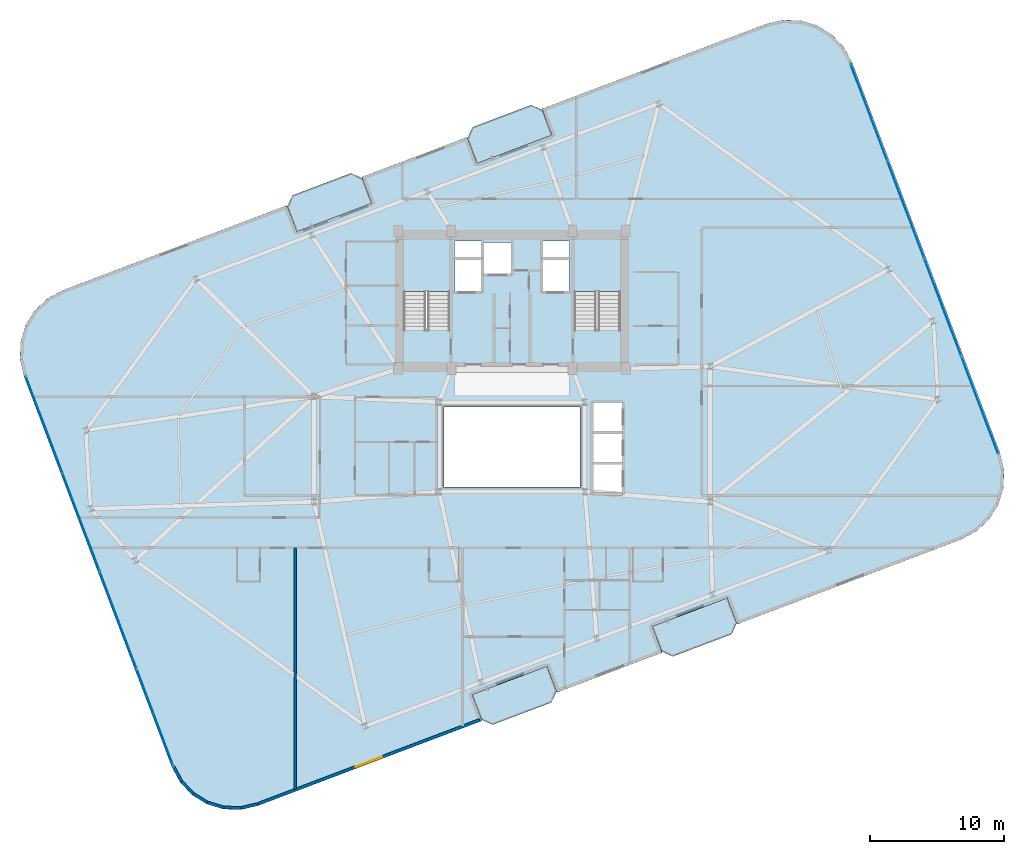
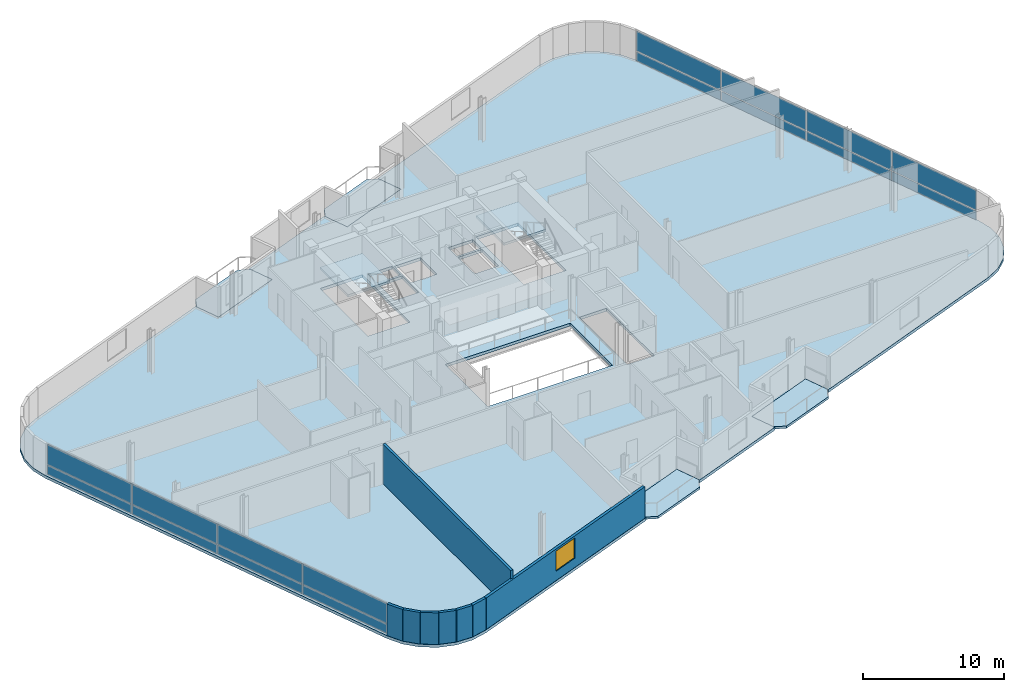
# One storey, part 13 of 20: 16 plates, 8 walls, 7 slabs, 1 window, 1 opening, 4 elements without a shape of their own.
"""IFC4 building model written with IfcOpenShell, lengths in metres."""

import ifcopenshell
import ifcopenshell.guid

model = None  # the IFC model being written
_history = None  # IfcOwnerHistory: only IFC2X3 demands one
_inside = {}  # id of a spatial element -> (the spatial element, [elements in it])
_under = {}  # id of a project, library or spatial element -> (it, [spatial elements below it])
_declared = {}  # id of a project -> (the project, [libraries it declares])
_typed = {}  # id of a type object -> (the type object, [elements of that type])
_made_of = {}  # id of a material, layer set ... -> (it, [elements and type objects made of it])


def new_model(schema):
    """Start an empty IFC model of exactly this schema.

    Asked for "IFC4X3", IfcOpenShell would pick the latest addendum, in which some entities
    have other attributes; the version numbers below select the first issue.
    IFC2X3 requires an IfcOwnerHistory on every rooted entity: one is made here for all.
    """
    global model, _history
    if schema == "IFC4X3":
        model = ifcopenshell.file(schema_version=(4, 3, 0, 0))
    else:
        model = ifcopenshell.file(schema=schema)
    _inside.clear()
    _under.clear()
    _declared.clear()
    _typed.clear()
    _made_of.clear()
    _history = None
    if model.schema == "IFC2X3":
        org = make("IfcOrganization", Name="unknown")
        user = make(
            "IfcPersonAndOrganization",
            ThePerson=make("IfcPerson", FamilyName="unknown"),
            TheOrganization=org,
        )
        app = make(
            "IfcApplication",
            ApplicationDeveloper=org,
            Version="unknown",
            ApplicationFullName="unknown",
            ApplicationIdentifier="unknown",
        )
        _history = make(
            "IfcOwnerHistory",
            OwningUser=user,
            OwningApplication=app,
            ChangeAction="ADDED",
            CreationDate=0,
        )
    return model


def make(cls, **values):
    """One entity of the class cls with the attributes given. An attribute that is None is left unset."""
    return model.create_entity(
        cls, **{name: value for name, value in values.items() if value is not None}
    )


def rooted(cls, **values):
    """An entity with a GlobalId (a new one), such as an element, a storey or a relation."""
    return make(cls, GlobalId=ifcopenshell.guid.new(), OwnerHistory=_history, **values)


def si_unit(unit_type, name, prefix=None):
    """IfcSIUnit, for example si_unit("LENGTHUNIT", "METRE", prefix="MILLI")."""
    return make("IfcSIUnit", UnitType=unit_type, Prefix=prefix, Name=name)


def assignment(units):
    """IfcUnitAssignment: the units of a project."""
    return None if units is None else make("IfcUnitAssignment", Units=units)


def point(xyz):
    """IfcCartesianPoint."""
    return None if xyz is None else make("IfcCartesianPoint", Coordinates=xyz)


def direction(xyz):
    """IfcDirection."""
    return None if xyz is None else make("IfcDirection", DirectionRatios=xyz)


def frame(location, z_axis=None, x_axis=None):
    """IfcAxis2Placement3D, a coordinate frame: its origin and axes. An axis left out is left unset."""
    return make(
        "IfcAxis2Placement3D",
        Location=point(location),
        Axis=direction(z_axis),
        RefDirection=direction(x_axis),
    )


def frame_2d(location, x_axis=None):
    """IfcAxis2Placement2D, a coordinate frame in the plane: its origin and x axis."""
    return make(
        "IfcAxis2Placement2D", Location=point(location), RefDirection=direction(x_axis)
    )


def origin():
    """The frame at (0, 0, 0) with its axes left unset."""
    return frame((0.0, 0.0, 0.0))


def origin_2d():
    """The frame at (0, 0) in the plane with its x axis left unset."""
    return frame_2d((0.0, 0.0))


def place(relative_to, where):
    """IfcLocalPlacement: puts the frame where relative to a parent placement (None: the world)."""
    return make(
        "IfcLocalPlacement", PlacementRelTo=relative_to, RelativePlacement=where
    )


def context(
    kind, dimensions, precision=None, world=None, true_north=None, identifier=None
):
    """IfcGeometricRepresentationContext, for example the 3D "Model" context."""
    return make(
        "IfcGeometricRepresentationContext",
        ContextIdentifier=identifier,
        ContextType=kind,
        CoordinateSpaceDimension=dimensions,
        Precision=precision,
        WorldCoordinateSystem=world,
        TrueNorth=true_north,
    )


def subcontext(parent, identifier, kind, view, scale=None):
    """IfcGeometricRepresentationSubContext, for example "Body" below "Model"."""
    return make(
        "IfcGeometricRepresentationSubContext",
        ContextIdentifier=identifier,
        ContextType=kind,
        ParentContext=parent,
        TargetScale=scale,
        TargetView=view,
    )


def project(units=None, contexts=None):
    """IfcProject with its units and contexts."""
    return rooted(
        "IfcProject",
        Name="project",
        RepresentationContexts=contexts,
        UnitsInContext=assignment(units),
    )


def spatial(cls, under=None, at=None, **own):
    """A site, building, storey or space (cls), placed at a placement, below another one or the project."""
    s = rooted(cls, ObjectPlacement=at, **own)
    if under is not None:
        _under.setdefault(under.id(), (under, []))[1].append(s)
    return s


def polyline(points):
    """IfcPolyline through the points."""
    return make("IfcPolyline", Points=[point(p) for p in points])


def profile(cls, at=None, kind="AREA", **sizes):
    """A parametric profile (cls). Its sizes go by their IFC names, for example OverallWidth=200.0."""
    return make(cls, ProfileType=kind, Position=at, **sizes)


def rectangle(**sizes):
    """IfcRectangleProfileDef."""
    return profile("IfcRectangleProfileDef", **sizes)


def outline(outer, holes=None, kind="AREA"):
    """IfcArbitraryClosedProfileDef: a profile drawn as a closed curve; with holes, ...WithVoids."""
    if holes is None:
        return make("IfcArbitraryClosedProfileDef", ProfileType=kind, OuterCurve=outer)
    return make(
        "IfcArbitraryProfileDefWithVoids",
        ProfileType=kind,
        OuterCurve=outer,
        InnerCurves=holes,
    )


def extrude(swept, where, along, depth):
    """IfcExtrudedAreaSolid: the profile swept, set in the frame where, extruded along a direction by depth."""
    return make(
        "IfcExtrudedAreaSolid",
        SweptArea=swept,
        Position=where,
        ExtrudedDirection=direction(along),
        Depth=depth,
    )


def shape(context_of_items, identifier, shape_type, items):
    """IfcShapeRepresentation: the items that make up one representation, for example the "Body"."""
    return make(
        "IfcShapeRepresentation",
        ContextOfItems=context_of_items,
        RepresentationIdentifier=identifier,
        RepresentationType=shape_type,
        Items=items,
    )


def source(mapping_origin, context_of_items, identifier, shape_type, items):
    """IfcRepresentationMap: a shape defined once, which mapped items show again and again."""
    return make(
        "IfcRepresentationMap",
        MappingOrigin=mapping_origin,
        MappedRepresentation=shape(context_of_items, identifier, shape_type, items),
    )


def transform(
    local_origin,
    x_axis=None,
    y_axis=None,
    z_axis=None,
    scale=None,
    scale2=None,
    scale3=None,
    uniform=True,
):
    """IfcCartesianTransformationOperator3D, or its non-uniform kind. x_axis, y_axis, z_axis: its Axis1, 2, 3."""
    if uniform:
        return make(
            "IfcCartesianTransformationOperator3D",
            Axis1=direction(x_axis),
            Axis2=direction(y_axis),
            LocalOrigin=point(local_origin),
            Scale=scale,
            Axis3=direction(z_axis),
        )
    return make(
        "IfcCartesianTransformationOperator3DnonUniform",
        Axis1=direction(x_axis),
        Axis2=direction(y_axis),
        LocalOrigin=point(local_origin),
        Scale=scale,
        Axis3=direction(z_axis),
        Scale2=scale2,
        Scale3=scale3,
    )


def mapped(mapping_source, mapping_target):
    """IfcMappedItem: shows the shape of a source again, moved by a transform."""
    return make(
        "IfcMappedItem", MappingSource=mapping_source, MappingTarget=mapping_target
    )


def material(Name=None, Category=None):
    """IfcMaterial."""
    return make("IfcMaterial", Name=Name, Category=Category)


def layer(
    of_material, thickness, ventilated=None, Name=None, Category=None, Priority=None
):
    """IfcMaterialLayer: one layer of a wall or slab, of a material (None: an air gap)."""
    return make(
        "IfcMaterialLayer",
        Material=of_material,
        LayerThickness=thickness,
        IsVentilated=ventilated,
        Name=Name,
        Category=Category,
        Priority=Priority,
    )


def layer_set(layers, Name=None):
    """IfcMaterialLayerSet."""
    return make("IfcMaterialLayerSet", MaterialLayers=layers, LayerSetName=Name)


def made_of(thing, what):
    """Note that an element or type object is made of a material, layer set ...; save() writes the relation."""
    if what is not None:
        _made_of.setdefault(what.id(), (what, []))[1].append(thing)
    return thing


def type_object(cls, material=None, **own):
    """A type object (cls), such as IfcWallType, which elements share."""
    return made_of(rooted(cls, **own), material)


def element(
    cls,
    number,
    at=None,
    inside=None,
    cuts=None,
    type_object=None,
    material=None,
    context=None,
    identifier="Body",
    shape_type=None,
    held_by="IfcProductDefinitionShape",
    body=None,
    shapes=None,
    **own,
):
    """One element of the class cls, such as IfcWall. Its Tag is "e" and its number.

    at: its placement. inside: the storey or other place that contains it. cuts: it is an
    opening in that element (IfcRelVoidsElement). A single representation is given by context,
    identifier, shape_type and body (its items); several are given by shapes. held_by: the class
    of the entity that holds the representations. save() writes the other relations.
    """
    e = rooted(cls, Tag="e%d" % number, ObjectPlacement=at, **own)
    if body is not None:
        shapes = [shape(context, identifier, shape_type, body)]
    if shapes is not None:
        e.Representation = make(held_by, Representations=shapes)
    if inside is not None:
        _inside.setdefault(inside.id(), (inside, []))[1].append(e)
    if cuts is not None:
        rooted(
            "IfcRelVoidsElement", RelatingBuildingElement=cuts, RelatedOpeningElement=e
        )
    if type_object is not None:
        _typed.setdefault(type_object.id(), (type_object, []))[1].append(e)
    return made_of(e, material)


def fill(opening, filler):
    """IfcRelFillsElement: the door or window that sits in an opening."""
    return rooted(
        "IfcRelFillsElement",
        RelatingOpeningElement=opening,
        RelatedBuildingElement=filler,
    )


def aggregate(whole, parts):
    """IfcRelAggregates: a whole, such as a stair, and the parts it consists of."""
    return rooted("IfcRelAggregates", RelatingObject=whole, RelatedObjects=parts)


def save(model, path):
    """Write the relations noted so far, then the file.

    IfcRelAggregates (storeys below a building ...), IfcRelContainedInSpatialStructure (elements
    in a storey), IfcRelDefinesByType, IfcRelAssociatesMaterial and IfcRelDeclares: one each for
    every whole, place, type object, material and project.
    """
    for whole, parts in _under.values():
        aggregate(whole, parts)
    for where, things in _inside.values():
        rooted(
            "IfcRelContainedInSpatialStructure",
            RelatedElements=things,
            RelatingStructure=where,
        )
    for kind, things in _typed.values():
        rooted("IfcRelDefinesByType", RelatedObjects=things, RelatingType=kind)
    for what, things in _made_of.values():
        rooted("IfcRelAssociatesMaterial", RelatedObjects=things, RelatingMaterial=what)
    for by, libraries in _declared.values():
        rooted("IfcRelDeclares", RelatingContext=by, RelatedDefinitions=libraries)
    model.write(path)


model = new_model("IFC4")

# Units and contexts
model_context = context("Model", 3, precision=1e-05, world=origin(), true_north=direction((0.0, 1.0)))
body_context = subcontext(model_context, "Body", "Model", "MODEL_VIEW")
ifc_project = project(units=[si_unit("LENGTHUNIT", "METRE"), si_unit("AREAUNIT", "SQUARE_METRE"), si_unit("VOLUMEUNIT", "CUBIC_METRE"), si_unit("PLANEANGLEUNIT", "RADIAN"), si_unit("MASSUNIT", "GRAM", prefix="KILO")], contexts=[model_context])

# Site, building, storey
site_placement = place(None, origin())
site = spatial("IfcSite", under=ifc_project, at=site_placement, CompositionType="ELEMENT")
building_placement = place(site_placement, origin())
building = spatial("IfcBuilding", under=site, at=building_placement, Name="Varnelok Gate Tower", CompositionType="ELEMENT")
storey_placement = place(building_placement, frame((0.0, 0.0, 223.800048828125)))
storey = spatial("IfcBuildingStorey", under=building, at=storey_placement, Name="L57", CompositionType="ELEMENT", Elevation=223.800048828125)

# Slabs
ifc_material_1 = material(Name="Concrete C45/55", Category="concrete")
ifc_layer_1 = layer(ifc_material_1, 0.199951171875)
ifc_layer_set_1 = layer_set([ifc_layer_1], Name="Concrete C45/55")
slab_type_1 = type_object("IfcSlabType", Name="SLB-BALC-200", PredefinedType="FLOOR", material=ifc_layer_set_1)
slab_1_placement = place(storey_placement, frame((0.0, 0.0, -0.199951171875)))
element("IfcSlab", 1, at=slab_1_placement, inside=storey, type_object=slab_type_1, Name="L57 South Hollow Balcony 1", PredefinedType="FLOOR", context=body_context, shape_type="SweptSolid", body=[
    extrude(outline(polyline([(36.9189453125, 2.5166015625), (37.757080078125, 2.138916015625), (42.152587890625, 3.802978515625), (42.530517578125, 4.640869140625), (41.822265625, 6.51123046875), (36.2109375, 4.386962890625), (36.9189453125, 2.5166015625)])), origin(), (0.0, 0.0, 1.0), 0.199951171875),
])
slab_2_placement = place(storey_placement, frame((0.0, 0.0, -0.199951171875)))
element("IfcSlab", 2, at=slab_2_placement, inside=storey, type_object=slab_type_1, Name="L57 South Hollow Balcony 2", PredefinedType="FLOOR", context=body_context, shape_type="SweptSolid", body=[
    extrude(outline(polyline([(50.38623046875, 7.614990234375), (51.22412109375, 7.2373046875), (55.619873046875, 8.9013671875), (55.99755859375, 9.739501953125), (55.289306640625, 11.60986328125), (49.677978515625, 9.485595703125), (50.38623046875, 7.614990234375)])), origin(), (0.0, 0.0, 1.0), 0.199951171875),
])
slab_3_placement = place(storey_placement, frame((0.0, 0.0, -0.199951171875)))
element("IfcSlab", 3, at=slab_3_placement, inside=storey, type_object=slab_type_1, Name="L57 North Hollow Balcony 1", PredefinedType="FLOOR", context=body_context, shape_type="SweptSolid", body=[
    extrude(outline(polyline([(23.110595703125, 38.990234375), (28.721923828125, 41.114501953125), (28.013916015625, 42.985107421875), (27.17578125, 43.36279296875), (22.7802734375, 41.698486328125), (22.402587890625, 40.860595703125), (23.110595703125, 38.990234375)])), origin(), (0.0, 0.0, 1.0), 0.199951171875),
])
slab_4_placement = place(storey_placement, frame((0.0, 0.0, -0.199951171875)))
element("IfcSlab", 4, at=slab_4_placement, inside=storey, type_object=slab_type_1, Name="L57 North Hollow Balcony 2", PredefinedType="FLOOR", context=body_context, shape_type="SweptSolid", body=[
    extrude(outline(polyline([(36.577880859375, 44.088623046875), (42.189208984375, 46.212890625), (41.48095703125, 48.08349609375), (40.642822265625, 48.461181640625), (36.247314453125, 46.797119140625), (35.86962890625, 45.958984375), (36.577880859375, 44.088623046875)])), origin(), (0.0, 0.0, 1.0), 0.199951171875),
])

# Stair, slab
ifc_material_2 = material(Name="Concrete C50/60", Category="concrete")
stair_type = type_object("IfcStairType", Name="STR-CORE-1650", PredefinedType="HALF_TURN_STAIR", material=ifc_material_2)
stair_1_placement = place(storey_placement, origin())
stair_1 = element("IfcStair", 5, at=stair_1_placement, inside=storey, type_object=stair_type, Name="L57 Exit Stair ST-1", PredefinedType="HALF_TURN_STAIR")
ifc_layer_2 = layer(ifc_material_1, 0.199951171875)
ifc_layer_set_2 = layer_set([ifc_layer_2], Name="Concrete C45/55")
slab_type_2 = type_object("IfcSlabType", Name="SLB-LAND-200", PredefinedType="LANDING", material=ifc_layer_set_2)
slab_5_placement = place(storey_placement, frame((0.0, 0.0, 1.64990234375)))
slab_5 = element("IfcSlab", 6, at=slab_5_placement, type_object=slab_type_2, Name="ST-1 landing 1", PredefinedType="LANDING", context=body_context, shape_type="SweptSolid", body=[
    extrude(outline(polyline([(34.550048828125, 34.5), (34.550048828125, 38.449951171875), (31.10009765625, 38.449951171875), (31.10009765625, 34.5), (34.550048828125, 34.5)])), origin(), (0.0, 0.0, 1.0), 0.199951171875),
])
aggregate(stair_1, [slab_5])

stair_2_placement = place(storey_placement, origin())
stair_2 = element("IfcStair", 7, at=stair_2_placement, inside=storey, type_object=stair_type, Name="L57 Exit Stair ST-2", PredefinedType="HALF_TURN_STAIR")
slab_6_placement = place(storey_placement, frame((0.0, 0.0, 1.64990234375)))
slab_6 = element("IfcSlab", 8, at=slab_6_placement, type_object=slab_type_2, Name="ST-2 landing 1", PredefinedType="LANDING", context=body_context, shape_type="SweptSolid", body=[
    extrude(outline(polyline([(47.300048828125, 34.5), (47.300048828125, 38.449951171875), (43.85009765625, 38.449951171875), (43.85009765625, 34.5), (47.300048828125, 34.5)])), origin(), (0.0, 0.0, 1.0), 0.199951171875),
])
aggregate(stair_2, [slab_6])

# Slab
ifc_layer_3 = layer(ifc_material_2, 0.25)
ifc_layer_set_3 = layer_set([ifc_layer_3], Name="Concrete C50/60")
slab_type_3 = type_object("IfcSlabType", Name="SLB-TYP-250", PredefinedType="FLOOR", material=ifc_layer_set_3)
slab_7_placement = place(storey_placement, frame((0.0, 0.0, -0.25)))
element("IfcSlab", 9, at=slab_7_placement, inside=storey, type_object=slab_type_3, Name="L57 Structural Floor Slab", PredefinedType="FLOOR", context=body_context, shape_type="SweptSolid", body=[
    extrude(outline(polyline([(13.767578125, -1.0087890625), (14.385009765625, -2.158935546875), (15.279296875, -3.10986328125), (16.388916015625, -3.796875), (17.638671875, -4.17333984375), (18.943359375, -4.213623046875), (20.214111328125, -3.914794921875), (29.8779296875, -0.256103515625), (36.954345703125, 2.423095703125), (36.2109375, 4.386962890625), (41.822265625, 6.51123046875), (42.56591796875, 4.54736328125), (50.421630859375, 7.521484375), (49.677978515625, 9.485595703125), (55.289306640625, 11.60986328125), (56.032958984375, 9.64599609375), (63.109619140625, 12.324951171875), (72.7734375, 15.983642578125), (73.92333984375, 16.60107421875), (74.874267578125, 17.495361328125), (75.561279296875, 18.60498046875), (75.93798828125, 19.854736328125), (75.97802734375, 21.159423828125), (75.67919921875, 22.429931640625), (64.632568359375, 51.60888671875), (64.014892578125, 52.7587890625), (63.120849609375, 53.709716796875), (62.010986328125, 54.39697265625), (60.76123046875, 54.7734375), (59.45654296875, 54.813720703125), (58.18603515625, 54.5146484375), (48.522216796875, 50.856201171875), (41.445556640625, 48.177001953125), (42.189208984375, 46.212890625), (36.577880859375, 44.088623046875), (35.834228515625, 46.052490234375), (27.978515625, 43.07861328125), (28.721923828125, 41.114501953125), (23.110595703125, 38.990234375), (22.3671875, 40.9541015625), (15.29052734375, 38.275146484375), (5.626708984375, 34.616455078125), (4.4765625, 33.998779296875), (3.525634765625, 33.104736328125), (2.838623046875, 31.9951171875), (2.462158203125, 30.7451171875), (2.422119140625, 29.440673828125), (2.720703125, 28.169921875), (13.767578125, -1.0087890625)]), holes=[polyline([(34.550048828125, 31.679931640625), (34.550048828125, 38.449951171875), (31.10009765625, 38.449951171875), (31.10009765625, 31.679931640625), (34.550048828125, 31.679931640625)]), polyline([(47.300048828125, 31.679931640625), (47.300048828125, 38.449951171875), (43.85009765625, 38.449951171875), (43.85009765625, 31.679931640625), (47.300048828125, 31.679931640625)]), polyline([(34.949951171875, 34.550048828125), (36.89990234375, 34.550048828125), (36.89990234375, 36.89990234375), (34.949951171875, 36.89990234375), (34.949951171875, 34.550048828125)]), polyline([(41.5, 34.550048828125), (43.449951171875, 34.550048828125), (43.449951171875, 36.89990234375), (41.5, 36.89990234375), (41.5, 34.550048828125)]), polyline([(37.050048828125, 35.85009765625), (39.14990234375, 35.85009765625), (39.14990234375, 38.199951171875), (37.050048828125, 38.199951171875), (37.050048828125, 35.85009765625)]), polyline([(45.25, 19.449951171875), (47.449951171875, 19.449951171875), (47.449951171875, 26.199951171875), (45.25, 26.199951171875), (45.25, 19.449951171875)]), polyline([(34.919921875, 37.080078125), (36.89990234375, 37.080078125), (36.89990234375, 38.280029296875), (34.919921875, 38.280029296875), (34.919921875, 37.080078125)]), polyline([(41.5, 37.080078125), (43.47998046875, 37.080078125), (43.47998046875, 38.280029296875), (41.5, 38.280029296875), (41.5, 37.080078125)]), polyline([(34.10009765625, 19.89990234375), (44.300048828125, 19.89990234375), (44.300048828125, 25.89990234375), (34.10009765625, 25.89990234375), (34.10009765625, 19.89990234375)])]), origin(), (0.0, 0.0, 1.0), 0.25),
])

# Curtain wall, plates
ifc_material_3 = material(Name="Anodized Aluminum Alloy 6063-T6", Category="aluminium")
ifc_layer_4 = layer(ifc_material_3, 0.179931640625)
ifc_layer_set_4 = layer_set([ifc_layer_4], Name="Anodized Aluminum Alloy 6063-T6")
curtain_wall_type = type_object("IfcCurtainWallType", Name="CW4-RESIDENCE-VISION", PredefinedType="USERDEFINED", material=ifc_layer_set_4)
curtain_wall_1_placement = place(storey_placement, origin())
curtain_wall_1 = element("IfcCurtainWall", 10, at=curtain_wall_1_placement, inside=storey, type_object=curtain_wall_type, Name="L57 West End Vision Curtain Wall", ObjectType="UNITISED CURTAIN WALL", PredefinedType="USERDEFINED")
ifc_material_4 = material(Name="Low-E Laminated Double Glazing IGU", Category="glass")
ifc_layer_5 = layer(ifc_material_4, 0.035888671875)
ifc_layer_set_5 = layer_set([ifc_layer_5], Name="Low-E Laminated Double Glazing IGU")
plate_type = type_object("IfcPlateType", Name="CW-PNL-IGU36", PredefinedType="CURTAIN_PANEL", material=ifc_layer_set_5)
shared_shape_1 = source(origin(), body_context, "Body", "SweptSolid", [
    extrude(rectangle(XDim=7.6875, YDim=0.035888671875, at=origin_2d()), origin(), (0.0, 0.0, 1.0), 0.78759765625),
])
plate_1_placement = place(storey_placement, frame((12.510986328125, 2.70556640625, 0.074951171875), z_axis=(0.0, 0.0, 1.0), x_axis=(-0.354063042079, 0.935221557832, 0.0)))
plate_1 = element("IfcPlate", 11, at=plate_1_placement, type_object=plate_type, Name="CW4 panel 1.1", PredefinedType="CURTAIN_PANEL", context=body_context, shape_type="MappedRepresentation", body=[
    mapped(shared_shape_1, transform((0.0, 0.0, 0.0), scale=1.0)),
])
plate_2_placement = place(storey_placement, frame((4.2392578125, 24.5546875, 0.074951171875), z_axis=(0.0, 0.0, 1.0), x_axis=(-0.354063042079, 0.935221557832, 0.0)))
plate_2 = element("IfcPlate", 12, at=plate_2_placement, type_object=plate_type, Name="CW4 panel 4.1", PredefinedType="CURTAIN_PANEL", context=body_context, shape_type="MappedRepresentation", body=[
    mapped(shared_shape_1, transform((0.0, 0.0, 0.0), scale=1.0)),
])

curtain_wall_2_placement = place(storey_placement, origin())
curtain_wall_2 = element("IfcCurtainWall", 13, at=curtain_wall_2_placement, inside=storey, type_object=curtain_wall_type, Name="L57 East End Vision Curtain Wall", ObjectType="UNITISED CURTAIN WALL", PredefinedType="USERDEFINED")
plate_3_placement = place(storey_placement, frame((65.888916015625, 47.89453125, 0.074951171875), z_axis=(0.0, 0.0, 1.0), x_axis=(0.354063042079, -0.935221557832, 0.0)))
plate_3 = element("IfcPlate", 14, at=plate_3_placement, type_object=plate_type, Name="CW4 panel 1.1", PredefinedType="CURTAIN_PANEL", context=body_context, shape_type="MappedRepresentation", body=[
    mapped(shared_shape_1, transform((0.0, 0.0, 0.0), scale=1.0)),
])
plate_4_placement = place(storey_placement, frame((74.160888671875, 26.04541015625, 0.074951171875), z_axis=(0.0, 0.0, 1.0), x_axis=(0.354063042079, -0.935221557832, 0.0)))
plate_4 = element("IfcPlate", 15, at=plate_4_placement, type_object=plate_type, Name="CW4 panel 4.1", PredefinedType="CURTAIN_PANEL", context=body_context, shape_type="MappedRepresentation", body=[
    mapped(shared_shape_1, transform((0.0, 0.0, 0.0), scale=1.0)),
])

# Plate
shared_shape_2 = source(origin(), body_context, "Body", "SweptSolid", [
    extrude(rectangle(XDim=7.6875, YDim=0.035888671875, at=origin_2d()), origin(), (0.0, 0.0, 1.0), 1.717529296875),
])
plate_5_placement = place(storey_placement, frame((12.510986328125, 2.70556640625, 0.9375), z_axis=(0.0, 0.0, 1.0), x_axis=(-0.354063042079, 0.935221557832, 0.0)))
plate_5 = element("IfcPlate", 16, at=plate_5_placement, type_object=plate_type, Name="CW4 panel 1.2", PredefinedType="CURTAIN_PANEL", context=body_context, shape_type="MappedRepresentation", body=[
    mapped(shared_shape_2, transform((0.0, 0.0, 0.0), scale=1.0)),
])

plate_6_placement = place(storey_placement, frame((4.2392578125, 24.5546875, 0.9375), z_axis=(0.0, 0.0, 1.0), x_axis=(-0.354063042079, 0.935221557832, 0.0)))
plate_6 = element("IfcPlate", 17, at=plate_6_placement, type_object=plate_type, Name="CW4 panel 4.2", PredefinedType="CURTAIN_PANEL", context=body_context, shape_type="MappedRepresentation", body=[
    mapped(shared_shape_2, transform((0.0, 0.0, 0.0), scale=1.0)),
])

plate_7_placement = place(storey_placement, frame((65.888916015625, 47.89453125, 0.9375), z_axis=(0.0, 0.0, 1.0), x_axis=(0.354063042079, -0.935221557832, 0.0)))
plate_7 = element("IfcPlate", 18, at=plate_7_placement, type_object=plate_type, Name="CW4 panel 1.2", PredefinedType="CURTAIN_PANEL", context=body_context, shape_type="MappedRepresentation", body=[
    mapped(shared_shape_2, transform((0.0, 0.0, 0.0), scale=1.0)),
])

plate_8_placement = place(storey_placement, frame((74.160888671875, 26.04541015625, 0.9375), z_axis=(0.0, 0.0, 1.0), x_axis=(0.354063042079, -0.935221557832, 0.0)))
plate_8 = element("IfcPlate", 19, at=plate_8_placement, type_object=plate_type, Name="CW4 panel 4.2", PredefinedType="CURTAIN_PANEL", context=body_context, shape_type="MappedRepresentation", body=[
    mapped(shared_shape_2, transform((0.0, 0.0, 0.0), scale=1.0)),
])

shared_shape_3 = source(origin(), body_context, "Body", "SweptSolid", [
    extrude(rectangle(XDim=7.72509765625, YDim=0.035888671875, at=origin_2d()), origin(), (0.0, 0.0, 1.0), 0.78759765625),
])
plate_9_placement = place(storey_placement, frame((9.755859375, 9.982666015625, 0.074951171875), z_axis=(0.0, 0.0, 1.0), x_axis=(-0.354063042079, 0.935221557832, 0.0)))
plate_9 = element("IfcPlate", 20, at=plate_9_placement, type_object=plate_type, Name="CW4 panel 2.1", PredefinedType="CURTAIN_PANEL", context=body_context, shape_type="MappedRepresentation", body=[
    mapped(shared_shape_3, transform((0.0, 0.0, 0.0), scale=1.0)),
])

plate_10_placement = place(storey_placement, frame((6.994140625, 17.277587890625, 0.074951171875), z_axis=(0.0, 0.0, 1.0), x_axis=(-0.354063042079, 0.935221557832, 0.0)))
plate_10 = element("IfcPlate", 21, at=plate_10_placement, type_object=plate_type, Name="CW4 panel 3.1", PredefinedType="CURTAIN_PANEL", context=body_context, shape_type="MappedRepresentation", body=[
    mapped(shared_shape_3, transform((0.0, 0.0, 0.0), scale=1.0)),
])

plate_11_placement = place(storey_placement, frame((68.64404296875, 40.6171875, 0.074951171875), z_axis=(0.0, 0.0, 1.0), x_axis=(0.354063042079, -0.935221557832, 0.0)))
plate_11 = element("IfcPlate", 22, at=plate_11_placement, type_object=plate_type, Name="CW4 panel 2.1", PredefinedType="CURTAIN_PANEL", context=body_context, shape_type="MappedRepresentation", body=[
    mapped(shared_shape_3, transform((0.0, 0.0, 0.0), scale=1.0)),
])

plate_12_placement = place(storey_placement, frame((71.40576171875, 33.322509765625, 0.074951171875), z_axis=(0.0, 0.0, 1.0), x_axis=(0.354063042079, -0.935221557832, 0.0)))
plate_12 = element("IfcPlate", 23, at=plate_12_placement, type_object=plate_type, Name="CW4 panel 3.1", PredefinedType="CURTAIN_PANEL", context=body_context, shape_type="MappedRepresentation", body=[
    mapped(shared_shape_3, transform((0.0, 0.0, 0.0), scale=1.0)),
])

shared_shape_4 = source(origin(), body_context, "Body", "SweptSolid", [
    extrude(rectangle(XDim=7.72509765625, YDim=0.035888671875, at=origin_2d()), origin(), (0.0, 0.0, 1.0), 1.717529296875),
])
plate_13_placement = place(storey_placement, frame((9.755859375, 9.982666015625, 0.9375), z_axis=(0.0, 0.0, 1.0), x_axis=(-0.354063042079, 0.935221557832, 0.0)))
plate_13 = element("IfcPlate", 24, at=plate_13_placement, type_object=plate_type, Name="CW4 panel 2.2", PredefinedType="CURTAIN_PANEL", context=body_context, shape_type="MappedRepresentation", body=[
    mapped(shared_shape_4, transform((0.0, 0.0, 0.0), scale=1.0)),
])

plate_14_placement = place(storey_placement, frame((6.994140625, 17.277587890625, 0.9375), z_axis=(0.0, 0.0, 1.0), x_axis=(-0.354063042079, 0.935221557832, 0.0)))
plate_14 = element("IfcPlate", 25, at=plate_14_placement, type_object=plate_type, Name="CW4 panel 3.2", PredefinedType="CURTAIN_PANEL", context=body_context, shape_type="MappedRepresentation", body=[
    mapped(shared_shape_4, transform((0.0, 0.0, 0.0), scale=1.0)),
])

aggregate(curtain_wall_1, [plate_1, plate_5, plate_9, plate_13, plate_10, plate_14, plate_2, plate_6])

plate_15_placement = place(storey_placement, frame((68.64404296875, 40.6171875, 0.9375), z_axis=(0.0, 0.0, 1.0), x_axis=(0.354063042079, -0.935221557832, 0.0)))
plate_15 = element("IfcPlate", 26, at=plate_15_placement, type_object=plate_type, Name="CW4 panel 2.2", PredefinedType="CURTAIN_PANEL", context=body_context, shape_type="MappedRepresentation", body=[
    mapped(shared_shape_4, transform((0.0, 0.0, 0.0), scale=1.0)),
])

plate_16_placement = place(storey_placement, frame((71.40576171875, 33.322509765625, 0.9375), z_axis=(0.0, 0.0, 1.0), x_axis=(0.354063042079, -0.935221557832, 0.0)))
plate_16 = element("IfcPlate", 27, at=plate_16_placement, type_object=plate_type, Name="CW4 panel 3.2", PredefinedType="CURTAIN_PANEL", context=body_context, shape_type="MappedRepresentation", body=[
    mapped(shared_shape_4, transform((0.0, 0.0, 0.0), scale=1.0)),
])

aggregate(curtain_wall_2, [plate_3, plate_7, plate_11, plate_15, plate_12, plate_16, plate_4, plate_8])

# Walls
ifc_layer_6 = layer(ifc_material_1, 0.219970703125)
ifc_layer_set_6 = layer_set([ifc_layer_6], Name="Concrete C45/55")
wall_type_1 = type_object("IfcWallType", Name="EW-BALC-220", PredefinedType="SOLIDWALL", material=ifc_layer_set_6)
wall_1_placement = place(storey_placement, frame((13.880615234375, -0.966064453125, 0.0), z_axis=(0.0, 0.0, 1.0), x_axis=(0.473242342135, -0.88093228208, 0.0)))
element("IfcWall", 28, at=wall_1_placement, inside=storey, type_object=wall_type_1, Name="L57 Perimeter Facade Closure Wall 1", PredefinedType="SOLIDWALL", context=body_context, shape_type="SweptSolid", body=[
    extrude(rectangle(XDim=1.273681640625, YDim=0.219970703125, at=frame_2d((0.63671875, 0.0))), origin(), (0.0, 0.0, 1.0), 2.72998046875),
])
for number, where, z_axis, x_axis, name in (
    (29, (14.50048828125, -2.1064453125, 0.0), (0.0, 0.0, 1.0), (0.684968140504, -0.728573020702, 0.0), "L57 Perimeter Facade Closure Wall 2"),
    (30, (15.377197265625, -3.029296875, 0.0), (0.0, 0.0, 1.0), (0.850231806078, -0.526408468713, 0.0), "L57 Perimeter Facade Closure Wall 3"),
    (31, (16.462646484375, -3.69384765625, 0.0), (0.0, 0.0, 1.0), (0.957508189204, -0.288406081086, 0.0), "L57 Perimeter Facade Closure Wall 4"),
):
    element("IfcWall", number, at=place(storey_placement, frame(where, z_axis=z_axis, x_axis=x_axis)), inside=storey, type_object=wall_type_1, Name=name, PredefinedType="SOLIDWALL", context=body_context, shape_type="SweptSolid", body=[
        extrude(rectangle(XDim=1.24853515625, YDim=0.219970703125, at=frame_2d((0.624267578125, 0.0))), origin(), (0.0, 0.0, 1.0), 2.72998046875),
    ])
wall_2_placement = place(storey_placement, frame((17.68310546875, -4.0546875, 0.0), z_axis=(0.0, 0.0, 1.0), x_axis=(0.999522886512, -0.030886879732, 0.0)))
element("IfcWall", 32, at=wall_2_placement, inside=storey, type_object=wall_type_1, Name="L57 Perimeter Facade Closure Wall 5", PredefinedType="SOLIDWALL", context=body_context, shape_type="SweptSolid", body=[
    extrude(rectangle(XDim=1.248779296875, YDim=0.219970703125, at=frame_2d((0.62451171875, 0.0))), origin(), (0.0, 0.0, 1.0), 2.72998046875),
])
wall_3_placement = place(storey_placement, frame((18.95556640625, -4.08740234375, 0.0), z_axis=(0.0, 0.0, 1.0), x_axis=(0.973463008152, 0.228844426981, 0.0)))
element("IfcWall", 33, at=wall_3_placement, inside=storey, type_object=wall_type_1, Name="L57 Perimeter Facade Closure Wall 6", PredefinedType="SOLIDWALL", context=body_context, shape_type="SweptSolid", body=[
    extrude(rectangle(XDim=1.2568359375, YDim=0.219970703125, at=frame_2d((0.62841796875, 0.0))), origin(), (0.0, 0.0, 1.0), 2.72998046875),
])

# Wall, opening, window
wall_4_placement = place(storey_placement, frame((20.2021484375, -3.790771484375, 0.0), z_axis=(0.0, 0.0, 1.0), x_axis=(0.935225574232, 0.354052432984, 0.0)))
wall_4 = element("IfcWall", 34, at=wall_4_placement, inside=storey, type_object=wall_type_1, Name="L57 Perimeter Facade Closure Wall 7", PredefinedType="SOLIDWALL", context=body_context, shape_type="SweptSolid", body=[
    extrude(rectangle(XDim=17.747314453125, YDim=0.219970703125, at=frame_2d((8.87353515625, 0.0))), origin(), (0.0, 0.0, 1.0), 2.72998046875),
])
opening_placement = place(wall_4_placement, frame((7.823486328125, 0.0, 0.800048828125)))
opening = element("IfcOpeningElement", 35, at=opening_placement, cuts=wall_4, Name="Opening WN4", PredefinedType="OPENING", context=body_context, shape_type="SweptSolid", body=[
    extrude(rectangle(XDim=2.10009765625, YDim=1.75, at=frame_2d((1.050048828125, 0.875))), frame((0.0, 0.119873046875, 0.0), z_axis=(0.0, -1.0, 0.0), x_axis=(1.0, 0.0, 0.0)), (0.0, 0.0, 1.0), 0.239990234375),
])
window_type = type_object("IfcWindowType", Name="WN-SUI-2100", PartitioningType="SINGLE_PANEL", PredefinedType="WINDOW", material=ifc_material_4)
window_placement = place(opening_placement, origin())
window = element("IfcWindow", 36, at=window_placement, inside=storey, type_object=window_type, Name="L57 Perimeter Vision Window 7", OverallHeight=1.75, OverallWidth=2.10009765625, PartitioningType="SINGLE_PANEL", PredefinedType="WINDOW", context=body_context, shape_type="SweptSolid", body=[
    extrude(rectangle(XDim=2.10009765625, YDim=1.75, at=frame_2d((1.050048828125, 0.875))), frame((0.0, 0.030029296875, 0.0), z_axis=(0.0, -1.0, 0.0), x_axis=(1.0, 0.0, 0.0)), (0.0, 0.0, 1.0), 0.06005859375),
])
fill(opening, window)

# Wall
ifc_material_5 = material(Name="Gypsum Plasterboard Acoustic Partition", Category="gypsum")
ifc_layer_7 = layer(ifc_material_5, 0.205078125)
ifc_layer_set_7 = layer_set([ifc_layer_7], Name="Gypsum Plasterboard Acoustic Partition")
wall_type_2 = type_object("IfcWallType", Name="PW-PARTY-200", PredefinedType="PARTITIONING", material=ifc_layer_set_7)
wall_5_placement = place(storey_placement, frame((23.0, -2.710205078125, 0.0), z_axis=(0.0, 0.0, 1.0), x_axis=(0.0, 1.0, 0.0)))
element("IfcWall", 37, at=wall_5_placement, inside=storey, type_object=wall_type_2, Name="L57 South Party Wall 1", PredefinedType="PARTITIONING", context=body_context, shape_type="SweptSolid", body=[
    extrude(rectangle(XDim=18.060302734375, YDim=0.205078125, at=frame_2d((9.0302734375, 0.0))), origin(), (0.0, 0.0, 1.0), 3.449951171875),
])

save(model, "model.ifc")
